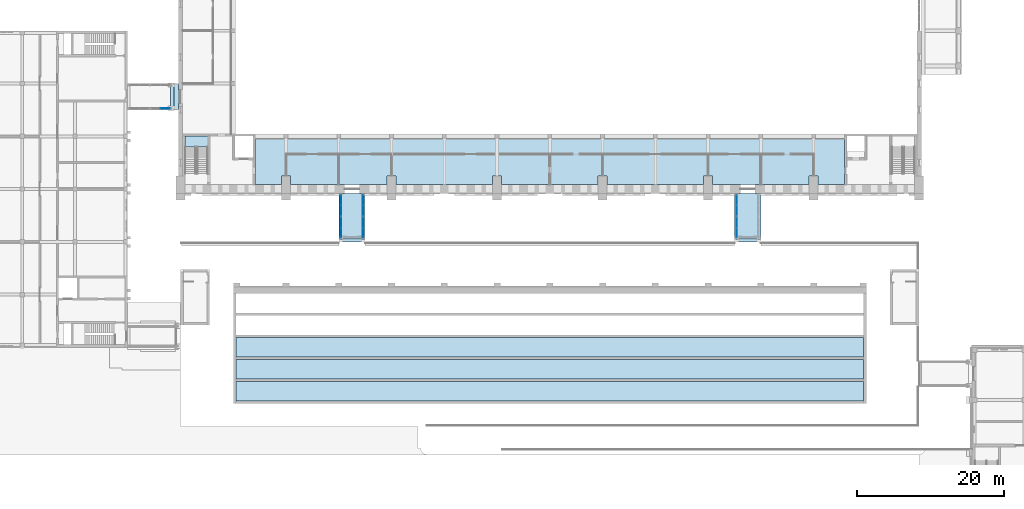
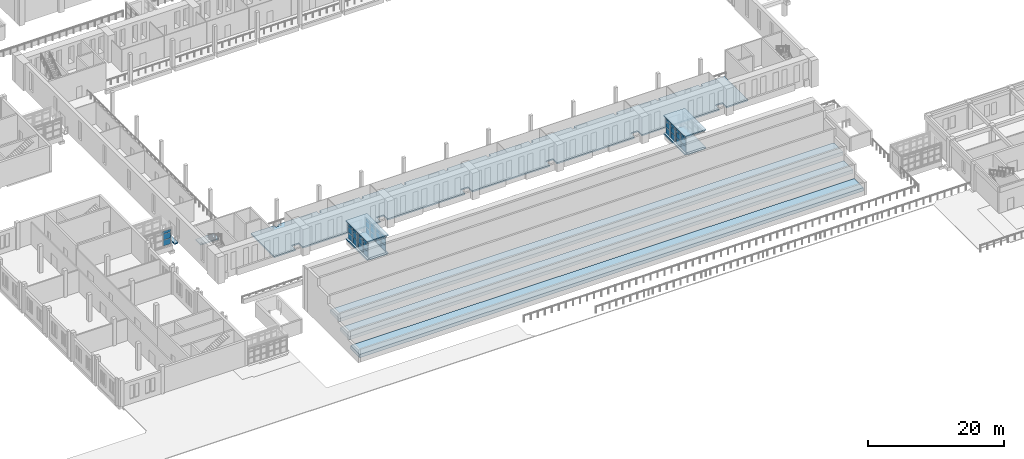
# One storey, part 64 of 131: 42 plates, 10 slabs, 8 elements without a shape of their own.
"""IFC4 building model written with IfcOpenShell, lengths in metres."""

from ifc_helpers import new_model, si_unit, direction, frame, origin, origin_2d, place, context, subcontext, project, spatial, polyline, rectangle, outline, extrude, material, layer, layer_set, type_object, element, aggregate, save


model = new_model("IFC4")

# Units and contexts
model_context = context("Model", 3, precision=1e-05, world=origin(), true_north=direction((0.0, 1.0)))
body_context = subcontext(model_context, "Body", "Model", "MODEL_VIEW")
ifc_project = project(units=[si_unit("LENGTHUNIT", "METRE"), si_unit("AREAUNIT", "SQUARE_METRE"), si_unit("VOLUMEUNIT", "CUBIC_METRE"), si_unit("PLANEANGLEUNIT", "RADIAN"), si_unit("MASSUNIT", "GRAM", prefix="KILO")], contexts=[model_context])

# Site, building, storey
site_placement = place(None, origin())
site = spatial("IfcSite", under=ifc_project, at=site_placement, CompositionType="ELEMENT")
building_placement = place(site_placement, origin())
building = spatial("IfcBuilding", under=site, at=building_placement, Name="Alderwick Market Hall", CompositionType="ELEMENT")
storey_placement = place(building_placement, frame((0.0, 0.0, 4.800048828125)))
storey = spatial("IfcBuildingStorey", under=building, at=storey_placement, Name="L00", CompositionType="ELEMENT", Elevation=4.800048828125)

# Slabs
ifc_material_1 = material(Name="Planted soil build-up, Concrete 4000 psi (f'c 28 MPa) drainage layer", Category="concrete")
ifc_layer_1 = layer(ifc_material_1, 0.60009765625)
ifc_layer_set_1 = layer_set([ifc_layer_1], Name="Planted soil build-up, Concrete 4000 psi (f'c 28 MPa) drainage layer")
slab_type_1 = type_object("IfcSlabType", Name="A Planted Terrace Tread 600", PredefinedType="ROOF", material=ifc_layer_set_1)
slab_1_placement = place(storey_placement, frame((0.0, 0.0, 3.39990234375)))
element("IfcSlab", 1, at=slab_1_placement, inside=storey, type_object=slab_type_1, Name="Planted terrace tread 3", PredefinedType="ROOF", context=body_context, shape_type="SweptSolid", body=[
    extrude(outline(polyline([(58.0, 27.449951171875), (143.60009765625, 27.449951171875), (143.60009765625, 30.14990234375), (58.0, 30.14990234375), (58.0, 27.449951171875)])), origin(), (0.0, 0.0, 1.0), 0.60009765625),
])
slab_2_placement = place(storey_placement, frame((0.0, 0.0, 2.0)))
element("IfcSlab", 2, at=slab_2_placement, inside=storey, type_object=slab_type_1, Name="Planted terrace tread 4", PredefinedType="ROOF", context=body_context, shape_type="SweptSolid", body=[
    extrude(outline(polyline([(58.0, 24.449951171875), (143.60009765625, 24.449951171875), (143.60009765625, 27.14990234375), (58.0, 27.14990234375), (58.0, 24.449951171875)])), origin(), (0.0, 0.0, 1.0), 0.599853515625),
])
slab_3_placement = place(storey_placement, frame((0.0, 0.0, 0.599853515625)))
element("IfcSlab", 3, at=slab_3_placement, inside=storey, type_object=slab_type_1, Name="Planted terrace tread 5", PredefinedType="ROOF", context=body_context, shape_type="SweptSolid", body=[
    extrude(outline(polyline([(58.0, 21.449951171875), (143.60009765625, 21.449951171875), (143.60009765625, 24.14990234375), (58.0, 24.14990234375), (58.0, 21.449951171875)])), origin(), (0.0, 0.0, 1.0), 0.60009765625),
])
ifc_material_2 = material(Name="Concrete 4000 psi (f'c 28 MPa)", Category="concrete")
ifc_layer_2 = layer(ifc_material_2, 0.25)
ifc_layer_set_2 = layer_set([ifc_layer_2], Name="Concrete 4000 psi (f'c 28 MPa)")
slab_type_2 = type_object("IfcSlabType", Name="H Gallery slab 250", PredefinedType="FLOOR", material=ifc_layer_set_2)
slab_4_placement = place(storey_placement, frame((0.0, 0.0, -0.25)))
element("IfcSlab", 4, at=slab_4_placement, inside=storey, type_object=slab_type_2, Name="Gallery floor L00", PredefinedType="FLOOR", context=body_context, shape_type="SweptSolid", body=[
    extrude(outline(polyline([(137.39990234375, 52.199951171875), (136.199951171875, 52.199951171875), (136.199951171875, 51.0), (123.0, 51.0), (123.0, 52.199951171875), (121.800048828125, 52.199951171875), (121.800048828125, 51.0), (108.60009765625, 51.0), (108.60009765625, 52.199951171875), (107.39990234375, 52.199951171875), (107.39990234375, 51.0), (94.199951171875, 51.0), (94.199951171875, 52.199951171875), (93.0, 52.199951171875), (93.0, 51.0), (79.800048828125, 51.0), (79.800048828125, 52.199951171875), (78.60009765625, 52.199951171875), (78.60009765625, 51.0), (65.39990234375, 51.0), (65.39990234375, 52.199951171875), (64.199951171875, 52.199951171875), (64.199951171875, 51.0), (60.550048828125, 51.0), (60.550048828125, 57.889892578125), (64.550048828125, 57.889892578125), (64.550048828125, 57.389892578125), (65.050048828125, 57.389892578125), (65.050048828125, 57.889892578125), (71.75, 57.889892578125), (71.75, 57.389892578125), (72.25, 57.389892578125), (72.25, 57.889892578125), (78.949951171875, 57.889892578125), (78.949951171875, 57.389892578125), (79.449951171875, 57.389892578125), (79.449951171875, 57.889892578125), (86.14990234375, 57.889892578125), (86.14990234375, 57.389892578125), (86.64990234375, 57.389892578125), (86.64990234375, 57.889892578125), (93.35009765625, 57.889892578125), (93.35009765625, 57.389892578125), (93.85009765625, 57.389892578125), (93.85009765625, 57.889892578125), (100.550048828125, 57.889892578125), (100.550048828125, 57.389892578125), (101.050048828125, 57.389892578125), (101.050048828125, 57.889892578125), (107.75, 57.889892578125), (107.75, 57.389892578125), (108.25, 57.389892578125), (108.25, 57.889892578125), (114.949951171875, 57.889892578125), (114.949951171875, 57.389892578125), (115.449951171875, 57.389892578125), (115.449951171875, 57.889892578125), (122.14990234375, 57.889892578125), (122.14990234375, 57.389892578125), (122.64990234375, 57.389892578125), (122.64990234375, 57.889892578125), (129.35009765625, 57.889892578125), (129.35009765625, 57.389892578125), (129.85009765625, 57.389892578125), (129.85009765625, 57.889892578125), (136.550048828125, 57.889892578125), (136.550048828125, 57.389892578125), (137.050048828125, 57.389892578125), (137.050048828125, 57.889892578125), (141.050048828125, 57.889892578125), (141.050048828125, 51.0), (137.39990234375, 51.0), (137.39990234375, 52.199951171875)])), origin(), (0.0, 0.0, 1.0), 0.25),
])

# Stair, slab
ifc_material_3 = material(Name="Concrete 5000 psi (f'c 35 MPa)", Category="concrete")
stair_type = type_object("IfcStairType", Name="H Stair 1500", PredefinedType="HALF_TURN_STAIR", material=ifc_material_3)
stair_placement = place(storey_placement, origin())
stair = element("IfcStair", 5, at=stair_placement, inside=storey, type_object=stair_type, Name="L00 Exit stair H-SW", PredefinedType="HALF_TURN_STAIR")
ifc_layer_3 = layer(ifc_material_2, 0.199951171875)
ifc_layer_set_3 = layer_set([ifc_layer_3], Name="Concrete 4000 psi (f'c 28 MPa)")
slab_type_3 = type_object("IfcSlabType", Name="H Stair landing 200", PredefinedType="LANDING", material=ifc_layer_set_3)
slab_5_placement = place(storey_placement, frame((0.0, 0.0, 2.199951171875)))
slab_5 = element("IfcSlab", 6, at=slab_5_placement, type_object=slab_type_3, Name="H-SW landing 1", PredefinedType="LANDING", context=body_context, shape_type="SweptSolid", body=[
    extrude(outline(polyline([(54.14990234375, 56.139892578125), (54.14990234375, 57.639892578125), (51.0, 57.639892578125), (51.0, 56.139892578125), (54.14990234375, 56.139892578125)])), origin(), (0.0, 0.0, 1.0), 0.199951171875),
])
aggregate(stair, [slab_5])

# Curtain wall, plates
ifc_material_4 = material(Name="Aluminium frame", Category="aluminium")
ifc_layer_4 = layer(ifc_material_4, 0.10009765625)
ifc_layer_set_4 = layer_set([ifc_layer_4], Name="Aluminium frame")
curtain_wall_type = type_object("IfcCurtainWallType", Name="P Curtain Wall 100", PredefinedType="NOTDEFINED", material=ifc_layer_set_4)
curtain_wall_1_placement = place(storey_placement, origin())
curtain_wall_1 = element("IfcCurtainWall", 7, at=curtain_wall_1_placement, inside=storey, type_object=curtain_wall_type, Name="P.P3.cw.a0", PredefinedType="NOTDEFINED")
ifc_material_5 = material(Name="Glass, low-e insulated glazing", Category="glass")
ifc_layer_5 = layer(ifc_material_5, 0.028076171875)
ifc_layer_set_5 = layer_set([ifc_layer_5], Name="Glass, low-e insulated glazing")
plate_type_1 = type_object("IfcPlateType", Name="P Glass Panel 28", PredefinedType="CURTAIN_PANEL", material=ifc_layer_set_5)
plate_1_placement = place(storey_placement, frame((72.300048828125, 44.41552734375, 0.06005859375), z_axis=(0.0, 0.0, 1.0), x_axis=(0.0, 1.0, 0.0)))
plate_1 = element("IfcPlate", 8, at=plate_1_placement, type_object=plate_type_1, Name="P-CW3a0 panel 1.1", PredefinedType="CURTAIN_PANEL", context=body_context, shape_type="SweptSolid", body=[
    extrude(rectangle(XDim=1.35888671875, YDim=0.028076171875, at=origin_2d()), origin(), (0.0, 0.0, 1.0), 1.010009765625),
])
plate_2_placement = place(storey_placement, frame((72.300048828125, 44.41552734375, 1.1298828125), z_axis=(0.0, 0.0, 1.0), x_axis=(0.0, 1.0, 0.0)))
plate_2 = element("IfcPlate", 9, at=plate_2_placement, type_object=plate_type_1, Name="P-CW3a0 panel 1.2", PredefinedType="CURTAIN_PANEL", context=body_context, shape_type="SweptSolid", body=[
    extrude(rectangle(XDim=1.35888671875, YDim=0.028076171875, at=origin_2d()), origin(), (0.0, 0.0, 1.0), 1.0400390625),
])
plate_3_placement = place(storey_placement, frame((72.300048828125, 44.41552734375, 2.22998046875), z_axis=(0.0, 0.0, 1.0), x_axis=(0.0, 1.0, 0.0)))
plate_3 = element("IfcPlate", 10, at=plate_3_placement, type_object=plate_type_1, Name="P-CW3a0 panel 1.3", PredefinedType="CURTAIN_PANEL", context=body_context, shape_type="SweptSolid", body=[
    extrude(rectangle(XDim=1.35888671875, YDim=0.028076171875, at=origin_2d()), origin(), (0.0, 0.0, 1.0), 0.462890625),
])
plate_4_placement = place(storey_placement, frame((72.300048828125, 45.83447265625, 0.06005859375), z_axis=(0.0, 0.0, 1.0), x_axis=(0.0, 1.0, 0.0)))
plate_4 = element("IfcPlate", 11, at=plate_4_placement, type_object=plate_type_1, Name="P-CW3a0 panel 2.1", PredefinedType="CURTAIN_PANEL", context=body_context, shape_type="SweptSolid", body=[
    extrude(rectangle(XDim=1.35888671875, YDim=0.028076171875, at=origin_2d()), origin(), (0.0, 0.0, 1.0), 1.010009765625),
])
plate_5_placement = place(storey_placement, frame((72.300048828125, 45.83447265625, 1.1298828125), z_axis=(0.0, 0.0, 1.0), x_axis=(0.0, 1.0, 0.0)))
plate_5 = element("IfcPlate", 12, at=plate_5_placement, type_object=plate_type_1, Name="P-CW3a0 panel 2.2", PredefinedType="CURTAIN_PANEL", context=body_context, shape_type="SweptSolid", body=[
    extrude(rectangle(XDim=1.35888671875, YDim=0.028076171875, at=origin_2d()), origin(), (0.0, 0.0, 1.0), 1.0400390625),
])
plate_6_placement = place(storey_placement, frame((72.300048828125, 45.83447265625, 2.22998046875), z_axis=(0.0, 0.0, 1.0), x_axis=(0.0, 1.0, 0.0)))
plate_6 = element("IfcPlate", 13, at=plate_6_placement, type_object=plate_type_1, Name="P-CW3a0 panel 2.3", PredefinedType="CURTAIN_PANEL", context=body_context, shape_type="SweptSolid", body=[
    extrude(rectangle(XDim=1.35888671875, YDim=0.028076171875, at=origin_2d()), origin(), (0.0, 0.0, 1.0), 0.462890625),
])
aggregate(curtain_wall_1, [plate_1, plate_2, plate_3, plate_4, plate_5, plate_6])

curtain_wall_2_placement = place(storey_placement, origin())
curtain_wall_2 = element("IfcCurtainWall", 14, at=curtain_wall_2_placement, inside=storey, type_object=curtain_wall_type, Name="P.P3.cw.a1", PredefinedType="NOTDEFINED")
plate_7_placement = place(storey_placement, frame((72.300048828125, 47.465576171875, 0.06005859375), z_axis=(0.0, 0.0, 1.0), x_axis=(0.0, 1.0, 0.0)))
plate_7 = element("IfcPlate", 15, at=plate_7_placement, type_object=plate_type_1, Name="P-CW3a1 panel 1.1", PredefinedType="CURTAIN_PANEL", context=body_context, shape_type="SweptSolid", body=[
    extrude(rectangle(XDim=1.35888671875, YDim=0.028076171875, at=origin_2d()), origin(), (0.0, 0.0, 1.0), 1.010009765625),
])
plate_8_placement = place(storey_placement, frame((72.300048828125, 47.465576171875, 1.1298828125), z_axis=(0.0, 0.0, 1.0), x_axis=(0.0, 1.0, 0.0)))
plate_8 = element("IfcPlate", 16, at=plate_8_placement, type_object=plate_type_1, Name="P-CW3a1 panel 1.2", PredefinedType="CURTAIN_PANEL", context=body_context, shape_type="SweptSolid", body=[
    extrude(rectangle(XDim=1.35888671875, YDim=0.028076171875, at=origin_2d()), origin(), (0.0, 0.0, 1.0), 1.0400390625),
])
plate_9_placement = place(storey_placement, frame((72.300048828125, 47.465576171875, 2.22998046875), z_axis=(0.0, 0.0, 1.0), x_axis=(0.0, 1.0, 0.0)))
plate_9 = element("IfcPlate", 17, at=plate_9_placement, type_object=plate_type_1, Name="P-CW3a1 panel 1.3", PredefinedType="CURTAIN_PANEL", context=body_context, shape_type="SweptSolid", body=[
    extrude(rectangle(XDim=1.35888671875, YDim=0.028076171875, at=origin_2d()), origin(), (0.0, 0.0, 1.0), 0.462890625),
])
plate_10_placement = place(storey_placement, frame((72.300048828125, 48.884521484375, 0.06005859375), z_axis=(0.0, 0.0, 1.0), x_axis=(0.0, 1.0, 0.0)))
plate_10 = element("IfcPlate", 18, at=plate_10_placement, type_object=plate_type_1, Name="P-CW3a1 panel 2.1", PredefinedType="CURTAIN_PANEL", context=body_context, shape_type="SweptSolid", body=[
    extrude(rectangle(XDim=1.35888671875, YDim=0.028076171875, at=origin_2d()), origin(), (0.0, 0.0, 1.0), 1.010009765625),
])
plate_11_placement = place(storey_placement, frame((72.300048828125, 48.884521484375, 1.1298828125), z_axis=(0.0, 0.0, 1.0), x_axis=(0.0, 1.0, 0.0)))
plate_11 = element("IfcPlate", 19, at=plate_11_placement, type_object=plate_type_1, Name="P-CW3a1 panel 2.2", PredefinedType="CURTAIN_PANEL", context=body_context, shape_type="SweptSolid", body=[
    extrude(rectangle(XDim=1.35888671875, YDim=0.028076171875, at=origin_2d()), origin(), (0.0, 0.0, 1.0), 1.0400390625),
])
plate_12_placement = place(storey_placement, frame((72.300048828125, 48.884521484375, 2.22998046875), z_axis=(0.0, 0.0, 1.0), x_axis=(0.0, 1.0, 0.0)))
plate_12 = element("IfcPlate", 20, at=plate_12_placement, type_object=plate_type_1, Name="P-CW3a1 panel 2.3", PredefinedType="CURTAIN_PANEL", context=body_context, shape_type="SweptSolid", body=[
    extrude(rectangle(XDim=1.35888671875, YDim=0.028076171875, at=origin_2d()), origin(), (0.0, 0.0, 1.0), 0.462890625),
])
aggregate(curtain_wall_2, [plate_7, plate_8, plate_9, plate_10, plate_11, plate_12])

curtain_wall_3_placement = place(storey_placement, origin())
curtain_wall_3 = element("IfcCurtainWall", 21, at=curtain_wall_3_placement, inside=storey, type_object=curtain_wall_type, Name="P.P3.cw.b0", PredefinedType="NOTDEFINED")
plate_13_placement = place(storey_placement, frame((75.300048828125, 44.41552734375, 0.06005859375), z_axis=(0.0, 0.0, 1.0), x_axis=(0.0, 1.0, 0.0)))
plate_13 = element("IfcPlate", 22, at=plate_13_placement, type_object=plate_type_1, Name="P-CW3b0 panel 1.1", PredefinedType="CURTAIN_PANEL", context=body_context, shape_type="SweptSolid", body=[
    extrude(rectangle(XDim=1.35888671875, YDim=0.028076171875, at=origin_2d()), origin(), (0.0, 0.0, 1.0), 1.010009765625),
])
plate_14_placement = place(storey_placement, frame((75.300048828125, 44.41552734375, 1.1298828125), z_axis=(0.0, 0.0, 1.0), x_axis=(0.0, 1.0, 0.0)))
plate_14 = element("IfcPlate", 23, at=plate_14_placement, type_object=plate_type_1, Name="P-CW3b0 panel 1.2", PredefinedType="CURTAIN_PANEL", context=body_context, shape_type="SweptSolid", body=[
    extrude(rectangle(XDim=1.35888671875, YDim=0.028076171875, at=origin_2d()), origin(), (0.0, 0.0, 1.0), 1.0400390625),
])
plate_15_placement = place(storey_placement, frame((75.300048828125, 44.41552734375, 2.22998046875), z_axis=(0.0, 0.0, 1.0), x_axis=(0.0, 1.0, 0.0)))
plate_15 = element("IfcPlate", 24, at=plate_15_placement, type_object=plate_type_1, Name="P-CW3b0 panel 1.3", PredefinedType="CURTAIN_PANEL", context=body_context, shape_type="SweptSolid", body=[
    extrude(rectangle(XDim=1.35888671875, YDim=0.028076171875, at=origin_2d()), origin(), (0.0, 0.0, 1.0), 0.462890625),
])
plate_16_placement = place(storey_placement, frame((75.300048828125, 45.83447265625, 0.06005859375), z_axis=(0.0, 0.0, 1.0), x_axis=(0.0, 1.0, 0.0)))
plate_16 = element("IfcPlate", 25, at=plate_16_placement, type_object=plate_type_1, Name="P-CW3b0 panel 2.1", PredefinedType="CURTAIN_PANEL", context=body_context, shape_type="SweptSolid", body=[
    extrude(rectangle(XDim=1.35888671875, YDim=0.028076171875, at=origin_2d()), origin(), (0.0, 0.0, 1.0), 1.010009765625),
])
plate_17_placement = place(storey_placement, frame((75.300048828125, 45.83447265625, 1.1298828125), z_axis=(0.0, 0.0, 1.0), x_axis=(0.0, 1.0, 0.0)))
plate_17 = element("IfcPlate", 26, at=plate_17_placement, type_object=plate_type_1, Name="P-CW3b0 panel 2.2", PredefinedType="CURTAIN_PANEL", context=body_context, shape_type="SweptSolid", body=[
    extrude(rectangle(XDim=1.35888671875, YDim=0.028076171875, at=origin_2d()), origin(), (0.0, 0.0, 1.0), 1.0400390625),
])
plate_18_placement = place(storey_placement, frame((75.300048828125, 45.83447265625, 2.22998046875), z_axis=(0.0, 0.0, 1.0), x_axis=(0.0, 1.0, 0.0)))
plate_18 = element("IfcPlate", 27, at=plate_18_placement, type_object=plate_type_1, Name="P-CW3b0 panel 2.3", PredefinedType="CURTAIN_PANEL", context=body_context, shape_type="SweptSolid", body=[
    extrude(rectangle(XDim=1.35888671875, YDim=0.028076171875, at=origin_2d()), origin(), (0.0, 0.0, 1.0), 0.462890625),
])
aggregate(curtain_wall_3, [plate_13, plate_14, plate_15, plate_16, plate_17, plate_18])

curtain_wall_4_placement = place(storey_placement, origin())
curtain_wall_4 = element("IfcCurtainWall", 28, at=curtain_wall_4_placement, inside=storey, type_object=curtain_wall_type, Name="P.P3.cw.b1", PredefinedType="NOTDEFINED")
plate_19_placement = place(storey_placement, frame((75.300048828125, 47.465576171875, 0.06005859375), z_axis=(0.0, 0.0, 1.0), x_axis=(0.0, 1.0, 0.0)))
plate_19 = element("IfcPlate", 29, at=plate_19_placement, type_object=plate_type_1, Name="P-CW3b1 panel 1.1", PredefinedType="CURTAIN_PANEL", context=body_context, shape_type="SweptSolid", body=[
    extrude(rectangle(XDim=1.35888671875, YDim=0.028076171875, at=origin_2d()), origin(), (0.0, 0.0, 1.0), 1.010009765625),
])
plate_20_placement = place(storey_placement, frame((75.300048828125, 47.465576171875, 1.1298828125), z_axis=(0.0, 0.0, 1.0), x_axis=(0.0, 1.0, 0.0)))
plate_20 = element("IfcPlate", 30, at=plate_20_placement, type_object=plate_type_1, Name="P-CW3b1 panel 1.2", PredefinedType="CURTAIN_PANEL", context=body_context, shape_type="SweptSolid", body=[
    extrude(rectangle(XDim=1.35888671875, YDim=0.028076171875, at=origin_2d()), origin(), (0.0, 0.0, 1.0), 1.0400390625),
])
plate_21_placement = place(storey_placement, frame((75.300048828125, 47.465576171875, 2.22998046875), z_axis=(0.0, 0.0, 1.0), x_axis=(0.0, 1.0, 0.0)))
plate_21 = element("IfcPlate", 31, at=plate_21_placement, type_object=plate_type_1, Name="P-CW3b1 panel 1.3", PredefinedType="CURTAIN_PANEL", context=body_context, shape_type="SweptSolid", body=[
    extrude(rectangle(XDim=1.35888671875, YDim=0.028076171875, at=origin_2d()), origin(), (0.0, 0.0, 1.0), 0.462890625),
])
plate_22_placement = place(storey_placement, frame((75.300048828125, 48.884521484375, 0.06005859375), z_axis=(0.0, 0.0, 1.0), x_axis=(0.0, 1.0, 0.0)))
plate_22 = element("IfcPlate", 32, at=plate_22_placement, type_object=plate_type_1, Name="P-CW3b1 panel 2.1", PredefinedType="CURTAIN_PANEL", context=body_context, shape_type="SweptSolid", body=[
    extrude(rectangle(XDim=1.35888671875, YDim=0.028076171875, at=origin_2d()), origin(), (0.0, 0.0, 1.0), 1.010009765625),
])
plate_23_placement = place(storey_placement, frame((75.300048828125, 48.884521484375, 1.1298828125), z_axis=(0.0, 0.0, 1.0), x_axis=(0.0, 1.0, 0.0)))
plate_23 = element("IfcPlate", 33, at=plate_23_placement, type_object=plate_type_1, Name="P-CW3b1 panel 2.2", PredefinedType="CURTAIN_PANEL", context=body_context, shape_type="SweptSolid", body=[
    extrude(rectangle(XDim=1.35888671875, YDim=0.028076171875, at=origin_2d()), origin(), (0.0, 0.0, 1.0), 1.0400390625),
])
plate_24_placement = place(storey_placement, frame((75.300048828125, 48.884521484375, 2.22998046875), z_axis=(0.0, 0.0, 1.0), x_axis=(0.0, 1.0, 0.0)))
plate_24 = element("IfcPlate", 34, at=plate_24_placement, type_object=plate_type_1, Name="P-CW3b1 panel 2.3", PredefinedType="CURTAIN_PANEL", context=body_context, shape_type="SweptSolid", body=[
    extrude(rectangle(XDim=1.35888671875, YDim=0.028076171875, at=origin_2d()), origin(), (0.0, 0.0, 1.0), 0.462890625),
])
aggregate(curtain_wall_4, [plate_19, plate_20, plate_21, plate_22, plate_23, plate_24])

curtain_wall_5_placement = place(storey_placement, origin())
curtain_wall_5 = element("IfcCurtainWall", 35, at=curtain_wall_5_placement, inside=storey, type_object=curtain_wall_type, Name="P.P4.cw.a0", PredefinedType="NOTDEFINED")
plate_25_placement = place(storey_placement, frame((126.300048828125, 44.41552734375, 0.06005859375), z_axis=(0.0, 0.0, 1.0), x_axis=(0.0, 1.0, 0.0)))
plate_25 = element("IfcPlate", 36, at=plate_25_placement, type_object=plate_type_1, Name="P-CW4a0 panel 1.1", PredefinedType="CURTAIN_PANEL", context=body_context, shape_type="SweptSolid", body=[
    extrude(rectangle(XDim=1.35888671875, YDim=0.028076171875, at=origin_2d()), origin(), (0.0, 0.0, 1.0), 1.010009765625),
])
plate_26_placement = place(storey_placement, frame((126.300048828125, 44.41552734375, 1.1298828125), z_axis=(0.0, 0.0, 1.0), x_axis=(0.0, 1.0, 0.0)))
plate_26 = element("IfcPlate", 37, at=plate_26_placement, type_object=plate_type_1, Name="P-CW4a0 panel 1.2", PredefinedType="CURTAIN_PANEL", context=body_context, shape_type="SweptSolid", body=[
    extrude(rectangle(XDim=1.35888671875, YDim=0.028076171875, at=origin_2d()), origin(), (0.0, 0.0, 1.0), 1.0400390625),
])
plate_27_placement = place(storey_placement, frame((126.300048828125, 44.41552734375, 2.22998046875), z_axis=(0.0, 0.0, 1.0), x_axis=(0.0, 1.0, 0.0)))
plate_27 = element("IfcPlate", 38, at=plate_27_placement, type_object=plate_type_1, Name="P-CW4a0 panel 1.3", PredefinedType="CURTAIN_PANEL", context=body_context, shape_type="SweptSolid", body=[
    extrude(rectangle(XDim=1.35888671875, YDim=0.028076171875, at=origin_2d()), origin(), (0.0, 0.0, 1.0), 0.462890625),
])
plate_28_placement = place(storey_placement, frame((126.300048828125, 45.83447265625, 0.06005859375), z_axis=(0.0, 0.0, 1.0), x_axis=(0.0, 1.0, 0.0)))
plate_28 = element("IfcPlate", 39, at=plate_28_placement, type_object=plate_type_1, Name="P-CW4a0 panel 2.1", PredefinedType="CURTAIN_PANEL", context=body_context, shape_type="SweptSolid", body=[
    extrude(rectangle(XDim=1.35888671875, YDim=0.028076171875, at=origin_2d()), origin(), (0.0, 0.0, 1.0), 1.010009765625),
])
plate_29_placement = place(storey_placement, frame((126.300048828125, 45.83447265625, 1.1298828125), z_axis=(0.0, 0.0, 1.0), x_axis=(0.0, 1.0, 0.0)))
plate_29 = element("IfcPlate", 40, at=plate_29_placement, type_object=plate_type_1, Name="P-CW4a0 panel 2.2", PredefinedType="CURTAIN_PANEL", context=body_context, shape_type="SweptSolid", body=[
    extrude(rectangle(XDim=1.35888671875, YDim=0.028076171875, at=origin_2d()), origin(), (0.0, 0.0, 1.0), 1.0400390625),
])
plate_30_placement = place(storey_placement, frame((126.300048828125, 45.83447265625, 2.22998046875), z_axis=(0.0, 0.0, 1.0), x_axis=(0.0, 1.0, 0.0)))
plate_30 = element("IfcPlate", 41, at=plate_30_placement, type_object=plate_type_1, Name="P-CW4a0 panel 2.3", PredefinedType="CURTAIN_PANEL", context=body_context, shape_type="SweptSolid", body=[
    extrude(rectangle(XDim=1.35888671875, YDim=0.028076171875, at=origin_2d()), origin(), (0.0, 0.0, 1.0), 0.462890625),
])
aggregate(curtain_wall_5, [plate_25, plate_26, plate_27, plate_28, plate_29, plate_30])

curtain_wall_6_placement = place(storey_placement, origin())
curtain_wall_6 = element("IfcCurtainWall", 42, at=curtain_wall_6_placement, inside=storey, type_object=curtain_wall_type, Name="P.P4.cw.a1", PredefinedType="NOTDEFINED")
plate_31_placement = place(storey_placement, frame((126.300048828125, 47.465576171875, 0.06005859375), z_axis=(0.0, 0.0, 1.0), x_axis=(0.0, 1.0, 0.0)))
plate_31 = element("IfcPlate", 43, at=plate_31_placement, type_object=plate_type_1, Name="P-CW4a1 panel 1.1", PredefinedType="CURTAIN_PANEL", context=body_context, shape_type="SweptSolid", body=[
    extrude(rectangle(XDim=1.35888671875, YDim=0.028076171875, at=origin_2d()), origin(), (0.0, 0.0, 1.0), 1.010009765625),
])
plate_32_placement = place(storey_placement, frame((126.300048828125, 47.465576171875, 1.1298828125), z_axis=(0.0, 0.0, 1.0), x_axis=(0.0, 1.0, 0.0)))
plate_32 = element("IfcPlate", 44, at=plate_32_placement, type_object=plate_type_1, Name="P-CW4a1 panel 1.2", PredefinedType="CURTAIN_PANEL", context=body_context, shape_type="SweptSolid", body=[
    extrude(rectangle(XDim=1.35888671875, YDim=0.028076171875, at=origin_2d()), origin(), (0.0, 0.0, 1.0), 1.0400390625),
])
plate_33_placement = place(storey_placement, frame((126.300048828125, 47.465576171875, 2.22998046875), z_axis=(0.0, 0.0, 1.0), x_axis=(0.0, 1.0, 0.0)))
plate_33 = element("IfcPlate", 45, at=plate_33_placement, type_object=plate_type_1, Name="P-CW4a1 panel 1.3", PredefinedType="CURTAIN_PANEL", context=body_context, shape_type="SweptSolid", body=[
    extrude(rectangle(XDim=1.35888671875, YDim=0.028076171875, at=origin_2d()), origin(), (0.0, 0.0, 1.0), 0.462890625),
])
plate_34_placement = place(storey_placement, frame((126.300048828125, 48.884521484375, 0.06005859375), z_axis=(0.0, 0.0, 1.0), x_axis=(0.0, 1.0, 0.0)))
plate_34 = element("IfcPlate", 46, at=plate_34_placement, type_object=plate_type_1, Name="P-CW4a1 panel 2.1", PredefinedType="CURTAIN_PANEL", context=body_context, shape_type="SweptSolid", body=[
    extrude(rectangle(XDim=1.35888671875, YDim=0.028076171875, at=origin_2d()), origin(), (0.0, 0.0, 1.0), 1.010009765625),
])
plate_35_placement = place(storey_placement, frame((126.300048828125, 48.884521484375, 1.1298828125), z_axis=(0.0, 0.0, 1.0), x_axis=(0.0, 1.0, 0.0)))
plate_35 = element("IfcPlate", 47, at=plate_35_placement, type_object=plate_type_1, Name="P-CW4a1 panel 2.2", PredefinedType="CURTAIN_PANEL", context=body_context, shape_type="SweptSolid", body=[
    extrude(rectangle(XDim=1.35888671875, YDim=0.028076171875, at=origin_2d()), origin(), (0.0, 0.0, 1.0), 1.0400390625),
])
plate_36_placement = place(storey_placement, frame((126.300048828125, 48.884521484375, 2.22998046875), z_axis=(0.0, 0.0, 1.0), x_axis=(0.0, 1.0, 0.0)))
plate_36 = element("IfcPlate", 48, at=plate_36_placement, type_object=plate_type_1, Name="P-CW4a1 panel 2.3", PredefinedType="CURTAIN_PANEL", context=body_context, shape_type="SweptSolid", body=[
    extrude(rectangle(XDim=1.35888671875, YDim=0.028076171875, at=origin_2d()), origin(), (0.0, 0.0, 1.0), 0.462890625),
])
aggregate(curtain_wall_6, [plate_31, plate_32, plate_33, plate_34, plate_35, plate_36])

curtain_wall_7_placement = place(storey_placement, origin())
curtain_wall_7 = element("IfcCurtainWall", 49, at=curtain_wall_7_placement, inside=storey, type_object=curtain_wall_type, Name="P.P6.cw.a1", PredefinedType="NOTDEFINED")
plate_37_placement = place(storey_placement, frame((48.322021484375, 61.39990234375, 0.06005859375), z_axis=(0.0, 0.0, 1.0), x_axis=(1.0, 0.0, 0.0)))
plate_37 = element("IfcPlate", 50, at=plate_37_placement, type_object=plate_type_1, Name="P-CW6a1 panel 2.1", PredefinedType="CURTAIN_PANEL", context=body_context, shape_type="SweptSolid", body=[
    extrude(rectangle(XDim=1.283935546875, YDim=0.028076171875, at=origin_2d()), origin(), (0.0, 0.0, 1.0), 1.010009765625),
])
plate_38_placement = place(storey_placement, frame((48.322021484375, 61.39990234375, 1.1298828125), z_axis=(0.0, 0.0, 1.0), x_axis=(1.0, 0.0, 0.0)))
plate_38 = element("IfcPlate", 51, at=plate_38_placement, type_object=plate_type_1, Name="P-CW6a1 panel 2.2", PredefinedType="CURTAIN_PANEL", context=body_context, shape_type="SweptSolid", body=[
    extrude(rectangle(XDim=1.283935546875, YDim=0.028076171875, at=origin_2d()), origin(), (0.0, 0.0, 1.0), 1.0400390625),
])
plate_39_placement = place(storey_placement, frame((48.322021484375, 61.39990234375, 2.22998046875), z_axis=(0.0, 0.0, 1.0), x_axis=(1.0, 0.0, 0.0)))
plate_39 = element("IfcPlate", 52, at=plate_39_placement, type_object=plate_type_1, Name="P-CW6a1 panel 2.3", PredefinedType="CURTAIN_PANEL", context=body_context, shape_type="SweptSolid", body=[
    extrude(rectangle(XDim=1.283935546875, YDim=0.028076171875, at=origin_2d()), origin(), (0.0, 0.0, 1.0), 0.462890625),
])
aggregate(curtain_wall_7, [plate_37, plate_38, plate_39])

# Plates
ifc_material_6 = material(Name="Stainless steel plate, grade 316", Category="steel")
ifc_layer_6 = layer(ifc_material_6, 0.011962890625)
ifc_layer_set_6 = layer_set([ifc_layer_6], Name="Stainless steel plate, grade 316")
plate_type_2 = type_object("IfcPlateType", Name="P Joint Cover Plate 12", PredefinedType="SHEET", material=ifc_layer_set_6)
for number, where, z_axis, x_axis, name in (
    (53, (73.800048828125, 43.425048828125, 0.0), (0.0, 0.0, 1.0), (1.0, 0.0, 0.0), "Threshold cover plate"),
    (54, (127.800048828125, 43.425048828125, 0.0), (0.0, 0.0, 1.0), (1.0, 0.0, 0.0), "Threshold cover plate"),
):
    element("IfcPlate", number, at=place(storey_placement, frame(where, z_axis=z_axis, x_axis=x_axis)), inside=storey, type_object=plate_type_2, Name=name, PredefinedType="SHEET", context=body_context, shape_type="SweptSolid", body=[
        extrude(rectangle(XDim=2.847900390625, YDim=0.449951171875, at=origin_2d()), origin(), (0.0, 0.0, 1.0), 0.011962890625),
    ])
plate_40_placement = place(storey_placement, frame((49.27490234375, 63.0, 0.0), z_axis=(0.0, 0.0, 1.0), x_axis=(1.0, 0.0, 0.0)))
element("IfcPlate", 55, at=plate_40_placement, inside=storey, type_object=plate_type_2, Name="Threshold cover plate", PredefinedType="SHEET", context=body_context, shape_type="SweptSolid", body=[
    extrude(rectangle(XDim=0.449951171875, YDim=3.048095703125, at=origin_2d()), origin(), (0.0, 0.0, 1.0), 0.011962890625),
])

# Slabs
ifc_layer_7 = layer(ifc_material_2, 0.199951171875)
ifc_layer_set_7 = layer_set([ifc_layer_7], Name="Concrete 4000 psi (f'c 28 MPa)")
slab_type_4 = type_object("IfcSlabType", Name="P Passage Roof Deck 200", PredefinedType="ROOF", material=ifc_layer_set_7)
slab_6_placement = place(storey_placement, frame((0.0, 0.0, 3.0)))
element("IfcSlab", 56, at=slab_6_placement, inside=storey, type_object=slab_type_4, Name="P.P3.roof", PredefinedType="ROOF", context=body_context, shape_type="SweptSolid", body=[
    extrude(outline(polyline([(72.0, 43.5), (75.60009765625, 43.5), (75.60009765625, 49.800048828125), (72.0, 49.800048828125), (72.0, 43.5)])), origin(), (0.0, 0.0, 1.0), 0.199951171875),
])
slab_7_placement = place(storey_placement, frame((0.0, 0.0, 3.0)))
element("IfcSlab", 57, at=slab_7_placement, inside=storey, type_object=slab_type_4, Name="P.P4.roof", PredefinedType="ROOF", context=body_context, shape_type="SweptSolid", body=[
    extrude(outline(polyline([(126.0, 43.5), (129.60009765625, 43.5), (129.60009765625, 49.800048828125), (126.0, 49.800048828125), (126.0, 43.5)])), origin(), (0.0, 0.0, 1.0), 0.199951171875),
])
ifc_layer_8 = layer(ifc_material_2, 0.199951171875)
ifc_layer_set_8 = layer_set([ifc_layer_8], Name="Concrete 4000 psi (f'c 28 MPa)")
slab_type_5 = type_object("IfcSlabType", Name="P RC Passage Deck 200", PredefinedType="FLOOR", material=ifc_layer_set_8)
slab_8_placement = place(storey_placement, frame((0.0, 0.0, -0.199951171875)))
element("IfcSlab", 58, at=slab_8_placement, inside=storey, type_object=slab_type_5, Name="P.P3.deck", PredefinedType="FLOOR", context=body_context, shape_type="SweptSolid", body=[
    extrude(outline(polyline([(72.0, 43.5), (75.60009765625, 43.5), (75.60009765625, 49.800048828125), (72.0, 49.800048828125), (72.0, 43.5)])), origin(), (0.0, 0.0, 1.0), 0.199951171875),
])
slab_9_placement = place(storey_placement, frame((0.0, 0.0, -0.199951171875)))
element("IfcSlab", 59, at=slab_9_placement, inside=storey, type_object=slab_type_5, Name="P.P4.deck", PredefinedType="FLOOR", context=body_context, shape_type="SweptSolid", body=[
    extrude(outline(polyline([(126.0, 43.5), (129.60009765625, 43.5), (129.60009765625, 49.800048828125), (126.0, 49.800048828125), (126.0, 43.5)])), origin(), (0.0, 0.0, 1.0), 0.199951171875),
])
ifc_layer_9 = layer(ifc_material_3, 0.199951171875)
ifc_layer_set_9 = layer_set([ifc_layer_9], Name="Concrete 5000 psi (f'c 35 MPa)")
slab_type_6 = type_object("IfcSlabType", Name="R Gable Landing 200", PredefinedType="LANDING", material=ifc_layer_set_9)
slab_10_placement = place(storey_placement, frame((0.0, 0.0, -0.199951171875)))
element("IfcSlab", 60, at=slab_10_placement, inside=storey, type_object=slab_type_6, Name="West gable door landing 2", PredefinedType="LANDING", context=body_context, shape_type="SweptSolid", body=[
    extrude(outline(polyline([(49.5, 61.199951171875), (50.10009765625, 61.199951171875), (50.10009765625, 64.800048828125), (49.5, 64.800048828125), (49.5, 61.199951171875)])), origin(), (0.0, 0.0, 1.0), 0.199951171875),
])

save(model, "model.ifc")
